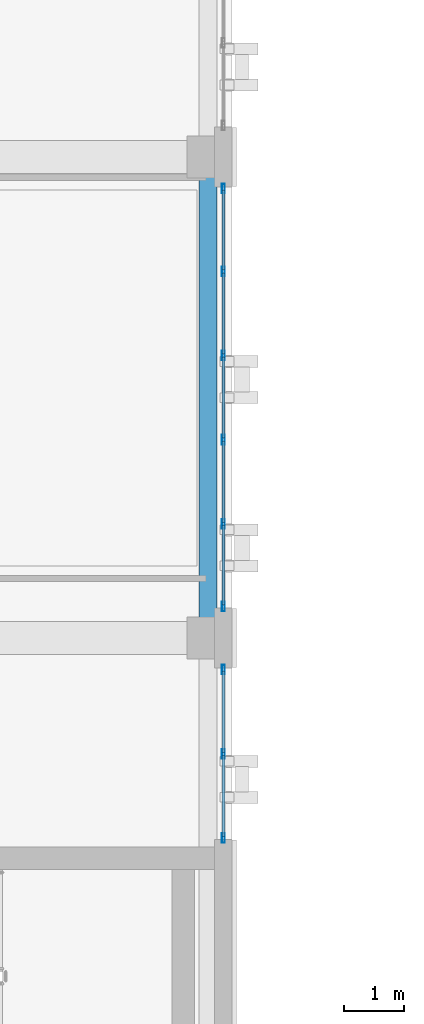
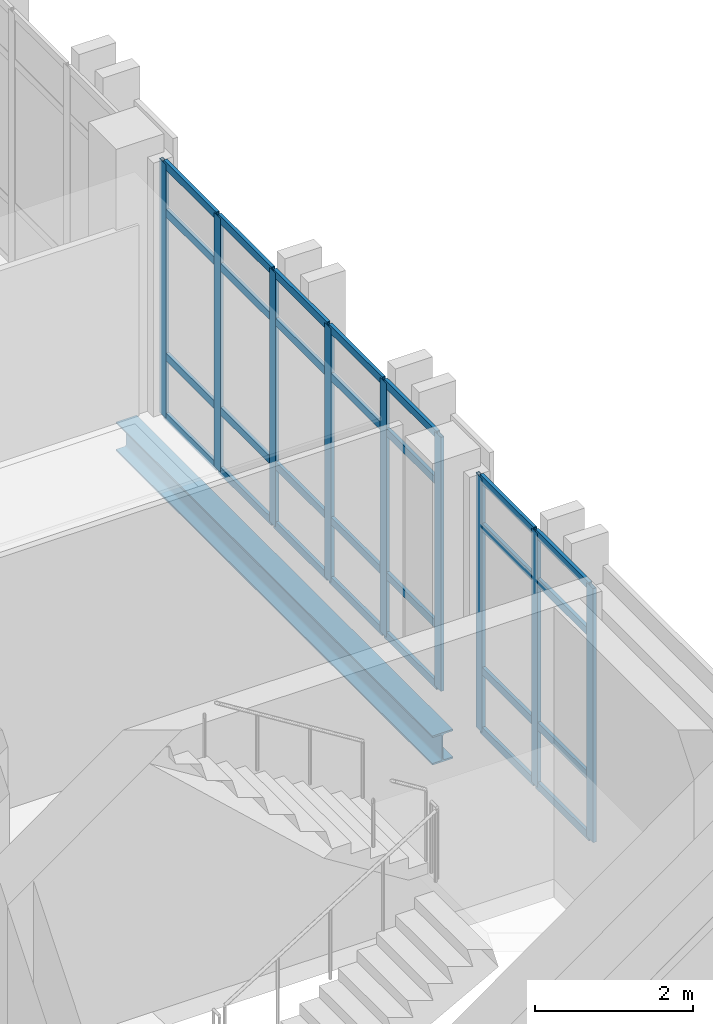
# One storey, part 62 of 165: 37 members, 1 beam, 2 elements without a shape of their own.
"""IFC4 building model written with IfcOpenShell, lengths in metres."""

from ifc_helpers import new_model, si_unit, direction, frame, origin, origin_2d, place, context, subcontext, project, spatial, hollow_rectangle, i_section, extrude, material, layer, layer_set, material_profile, profile_set, type_object, element, aggregate, save


model = new_model("IFC4")

# Units and contexts
model_context = context("Model", 3, precision=1e-05, world=origin(), true_north=direction((0.0, 1.0)))
body_context = subcontext(model_context, "Body", "Model", "MODEL_VIEW")
ifc_project = project(units=[si_unit("LENGTHUNIT", "METRE"), si_unit("AREAUNIT", "SQUARE_METRE"), si_unit("VOLUMEUNIT", "CUBIC_METRE"), si_unit("PLANEANGLEUNIT", "RADIAN"), si_unit("MASSUNIT", "GRAM", prefix="KILO")], contexts=[model_context])

# Site, building, storey
site_placement = place(None, origin())
site = spatial("IfcSite", under=ifc_project, at=site_placement, CompositionType="ELEMENT")
building_placement = place(site_placement, origin())
building = spatial("IfcBuilding", under=site, at=building_placement, Name="Qalavern Law Courts", CompositionType="ELEMENT")
storey_placement = place(building_placement, frame((0.0, 0.0, 14.39990234375)))
storey = spatial("IfcBuildingStorey", under=building, at=storey_placement, Name="L03", CompositionType="ELEMENT", Elevation=14.39990234375)

# Curtain wall, members
ifc_material_1 = material(Name="Anodised aluminium and insulated glazing", Category="aluminium")
ifc_layer = layer(ifc_material_1, 0.172119140625)
ifc_layer_set = layer_set([ifc_layer], Name="Anodised aluminium and insulated glazing")
curtain_wall_type = type_object("IfcCurtainWallType", Name="ENV-CW-COURT", PredefinedType="USERDEFINED", material=ifc_layer_set)
curtain_wall_1_placement = place(storey_placement, origin())
curtain_wall_1 = element("IfcCurtainWall", 1, at=curtain_wall_1_placement, inside=storey, type_object=curtain_wall_type, Name="V4 unitised curtain wall L03 east 1", ObjectType="UNITISED CURTAIN WALL", PredefinedType="USERDEFINED")
ifc_material_2 = material(Name="Anodised aluminium", Category="aluminium")
ifc_material_profile_1 = material_profile(ifc_material_2, hollow_rectangle(XDim=0.048095703125, YDim=0.159912109375, WallThickness=0.00390625, at=origin_2d()), Name="ALU MULLION 48x160")
ifc_profile_set_1 = profile_set([ifc_material_profile_1], Name="Anodised aluminium")
member_type_1 = type_object("IfcMemberType", Name="ENV-CWM-48x160", PredefinedType="MULLION", material=ifc_profile_set_1)
member_1_placement = place(storey_placement, frame((106.652587890625, 46.073974609375, 0.0), z_axis=(0.0, 0.0, 1.0), x_axis=(-1.0, 0.0, 0.0)))
member_1 = element("IfcMember", 2, at=member_1_placement, type_object=member_type_1, Name="CW-03 mullion 1", PredefinedType="MULLION", context=body_context, shape_type="SweptSolid", body=[
    extrude(hollow_rectangle(XDim=0.048095703125, YDim=0.159912109375, WallThickness=0.00390625, at=origin_2d()), origin(), (0.0, 0.0, 1.0), 3.920166015625),
])
member_2_placement = place(storey_placement, frame((106.652587890625, 47.47509765625, 0.0), z_axis=(0.0, 0.0, 1.0), x_axis=(-1.0, 0.0, 0.0)))
member_2 = element("IfcMember", 3, at=member_2_placement, type_object=member_type_1, Name="CW-03 mullion 2", PredefinedType="MULLION", context=body_context, shape_type="SweptSolid", body=[
    extrude(hollow_rectangle(XDim=0.048095703125, YDim=0.159912109375, WallThickness=0.00390625, at=origin_2d()), origin(), (0.0, 0.0, 1.0), 3.920166015625),
])
member_3_placement = place(storey_placement, frame((106.652587890625, 48.8759765625, 0.0), z_axis=(0.0, 0.0, 1.0), x_axis=(-1.0, 0.0, 0.0)))
member_3 = element("IfcMember", 4, at=member_3_placement, type_object=member_type_1, Name="CW-03 mullion 3", PredefinedType="MULLION", context=body_context, shape_type="SweptSolid", body=[
    extrude(hollow_rectangle(XDim=0.048095703125, YDim=0.159912109375, WallThickness=0.00390625, at=origin_2d()), origin(), (0.0, 0.0, 1.0), 3.920166015625),
])

curtain_wall_2_placement = place(storey_placement, origin())
curtain_wall_2 = element("IfcCurtainWall", 5, at=curtain_wall_2_placement, inside=storey, type_object=curtain_wall_type, Name="V4 unitised curtain wall L03 east 2", ObjectType="UNITISED CURTAIN WALL", PredefinedType="USERDEFINED")
member_4_placement = place(storey_placement, frame((106.652587890625, 49.924072265625, 0.0), z_axis=(0.0, 0.0, 1.0), x_axis=(-1.0, 0.0, 0.0)))
member_4 = element("IfcMember", 6, at=member_4_placement, type_object=member_type_1, Name="CW-03 mullion 1", PredefinedType="MULLION", context=body_context, shape_type="SweptSolid", body=[
    extrude(hollow_rectangle(XDim=0.048095703125, YDim=0.159912109375, WallThickness=0.00390625, at=origin_2d()), origin(), (0.0, 0.0, 1.0), 3.920166015625),
])
member_5_placement = place(storey_placement, frame((106.652587890625, 51.300048828125, 0.0), z_axis=(0.0, 0.0, 1.0), x_axis=(-1.0, 0.0, 0.0)))
member_5 = element("IfcMember", 7, at=member_5_placement, type_object=member_type_1, Name="CW-03 mullion 2", PredefinedType="MULLION", context=body_context, shape_type="SweptSolid", body=[
    extrude(hollow_rectangle(XDim=0.048095703125, YDim=0.159912109375, WallThickness=0.00390625, at=origin_2d()), origin(), (0.0, 0.0, 1.0), 3.920166015625),
])
member_6_placement = place(storey_placement, frame((106.652587890625, 52.699951171875, 0.0), z_axis=(0.0, 0.0, 1.0), x_axis=(-1.0, 0.0, 0.0)))
member_6 = element("IfcMember", 8, at=member_6_placement, type_object=member_type_1, Name="CW-03 mullion 3", PredefinedType="MULLION", context=body_context, shape_type="SweptSolid", body=[
    extrude(hollow_rectangle(XDim=0.048095703125, YDim=0.159912109375, WallThickness=0.00390625, at=origin_2d()), origin(), (0.0, 0.0, 1.0), 3.920166015625),
])
member_7_placement = place(storey_placement, frame((106.652587890625, 54.10009765625, 0.0), z_axis=(0.0, 0.0, 1.0), x_axis=(-1.0, 0.0, 0.0)))
member_7 = element("IfcMember", 9, at=member_7_placement, type_object=member_type_1, Name="CW-03 mullion 4", PredefinedType="MULLION", context=body_context, shape_type="SweptSolid", body=[
    extrude(hollow_rectangle(XDim=0.048095703125, YDim=0.159912109375, WallThickness=0.00390625, at=origin_2d()), origin(), (0.0, 0.0, 1.0), 3.920166015625),
])
member_8_placement = place(storey_placement, frame((106.652587890625, 55.5, 0.0), z_axis=(0.0, 0.0, 1.0), x_axis=(-1.0, 0.0, 0.0)))
member_8 = element("IfcMember", 10, at=member_8_placement, type_object=member_type_1, Name="CW-03 mullion 5", PredefinedType="MULLION", context=body_context, shape_type="SweptSolid", body=[
    extrude(hollow_rectangle(XDim=0.048095703125, YDim=0.159912109375, WallThickness=0.00390625, at=origin_2d()), origin(), (0.0, 0.0, 1.0), 3.920166015625),
])
member_9_placement = place(storey_placement, frame((106.652587890625, 56.8759765625, 0.0), z_axis=(0.0, 0.0, 1.0), x_axis=(-1.0, 0.0, 0.0)))
member_9 = element("IfcMember", 11, at=member_9_placement, type_object=member_type_1, Name="CW-03 mullion 6", PredefinedType="MULLION", context=body_context, shape_type="SweptSolid", body=[
    extrude(hollow_rectangle(XDim=0.048095703125, YDim=0.159912109375, WallThickness=0.00390625, at=origin_2d()), origin(), (0.0, 0.0, 1.0), 3.920166015625),
])

# Member
ifc_material_profile_2 = material_profile(ifc_material_2, hollow_rectangle(XDim=0.048095703125, YDim=0.1201171875, WallThickness=0.00390625, at=origin_2d()), Name="ALU TRANSOM 48x120")
ifc_profile_set_2 = profile_set([ifc_material_profile_2], Name="Anodised aluminium")
member_type_2 = type_object("IfcMemberType", Name="ENV-CWT-48x120", PredefinedType="USERDEFINED", material=ifc_profile_set_2)
member_10_placement = place(storey_placement, frame((106.652587890625, 46.097900390625, 0.024169921875), z_axis=(0.0, 1.0, 0.0), x_axis=(-1.0, 0.0, 0.0)))
member_10 = element("IfcMember", 12, at=member_10_placement, type_object=member_type_2, Name="CW-03 transom 1.1", ObjectType="TRANSOM", PredefinedType="USERDEFINED", context=body_context, shape_type="SweptSolid", body=[
    extrude(hollow_rectangle(XDim=0.048095703125, YDim=0.1201171875, WallThickness=0.00390625, at=origin_2d()), origin(), (0.0, 0.0, 1.0), 1.35302734375),
])

member_11_placement = place(storey_placement, frame((106.652587890625, 46.097900390625, 0.9501953125), z_axis=(0.0, 1.0, 0.0), x_axis=(-1.0, 0.0, 0.0)))
member_11 = element("IfcMember", 13, at=member_11_placement, type_object=member_type_2, Name="CW-03 transom 1.2", ObjectType="TRANSOM", PredefinedType="USERDEFINED", context=body_context, shape_type="SweptSolid", body=[
    extrude(hollow_rectangle(XDim=0.048095703125, YDim=0.1201171875, WallThickness=0.00390625, at=origin_2d()), origin(), (0.0, 0.0, 1.0), 1.35302734375),
])

member_12_placement = place(storey_placement, frame((106.652587890625, 46.097900390625, 3.170166015625), z_axis=(0.0, 1.0, 0.0), x_axis=(-1.0, 0.0, 0.0)))
member_12 = element("IfcMember", 14, at=member_12_placement, type_object=member_type_2, Name="CW-03 transom 1.3", ObjectType="TRANSOM", PredefinedType="USERDEFINED", context=body_context, shape_type="SweptSolid", body=[
    extrude(hollow_rectangle(XDim=0.048095703125, YDim=0.1201171875, WallThickness=0.00390625, at=origin_2d()), origin(), (0.0, 0.0, 1.0), 1.35302734375),
])

member_13_placement = place(storey_placement, frame((106.652587890625, 46.097900390625, 3.89599609375), z_axis=(0.0, 1.0, 0.0), x_axis=(-1.0, 0.0, 0.0)))
member_13 = element("IfcMember", 15, at=member_13_placement, type_object=member_type_2, Name="CW-03 transom 1.4", ObjectType="TRANSOM", PredefinedType="USERDEFINED", context=body_context, shape_type="SweptSolid", body=[
    extrude(hollow_rectangle(XDim=0.048095703125, YDim=0.1201171875, WallThickness=0.00390625, at=origin_2d()), origin(), (0.0, 0.0, 1.0), 1.35302734375),
])

member_14_placement = place(storey_placement, frame((106.652587890625, 47.4990234375, 0.024169921875), z_axis=(0.0, 1.0, 0.0), x_axis=(-1.0, 0.0, 0.0)))
member_14 = element("IfcMember", 16, at=member_14_placement, type_object=member_type_2, Name="CW-03 transom 2.1", ObjectType="TRANSOM", PredefinedType="USERDEFINED", context=body_context, shape_type="SweptSolid", body=[
    extrude(hollow_rectangle(XDim=0.048095703125, YDim=0.1201171875, WallThickness=0.00390625, at=origin_2d()), origin(), (0.0, 0.0, 1.0), 1.35302734375),
])

member_15_placement = place(storey_placement, frame((106.652587890625, 47.4990234375, 0.9501953125), z_axis=(0.0, 1.0, 0.0), x_axis=(-1.0, 0.0, 0.0)))
member_15 = element("IfcMember", 17, at=member_15_placement, type_object=member_type_2, Name="CW-03 transom 2.2", ObjectType="TRANSOM", PredefinedType="USERDEFINED", context=body_context, shape_type="SweptSolid", body=[
    extrude(hollow_rectangle(XDim=0.048095703125, YDim=0.1201171875, WallThickness=0.00390625, at=origin_2d()), origin(), (0.0, 0.0, 1.0), 1.35302734375),
])

member_16_placement = place(storey_placement, frame((106.652587890625, 47.4990234375, 3.170166015625), z_axis=(0.0, 1.0, 0.0), x_axis=(-1.0, 0.0, 0.0)))
member_16 = element("IfcMember", 18, at=member_16_placement, type_object=member_type_2, Name="CW-03 transom 2.3", ObjectType="TRANSOM", PredefinedType="USERDEFINED", context=body_context, shape_type="SweptSolid", body=[
    extrude(hollow_rectangle(XDim=0.048095703125, YDim=0.1201171875, WallThickness=0.00390625, at=origin_2d()), origin(), (0.0, 0.0, 1.0), 1.35302734375),
])

member_17_placement = place(storey_placement, frame((106.652587890625, 47.4990234375, 3.89599609375), z_axis=(0.0, 1.0, 0.0), x_axis=(-1.0, 0.0, 0.0)))
member_17 = element("IfcMember", 19, at=member_17_placement, type_object=member_type_2, Name="CW-03 transom 2.4", ObjectType="TRANSOM", PredefinedType="USERDEFINED", context=body_context, shape_type="SweptSolid", body=[
    extrude(hollow_rectangle(XDim=0.048095703125, YDim=0.1201171875, WallThickness=0.00390625, at=origin_2d()), origin(), (0.0, 0.0, 1.0), 1.35302734375),
])

aggregate(curtain_wall_1, [member_1, member_2, member_3, member_10, member_11, member_12, member_13, member_14, member_15, member_16, member_17])

member_18_placement = place(storey_placement, frame((106.652587890625, 49.947998046875, 0.024169921875), z_axis=(0.0, 1.0, 0.0), x_axis=(-1.0, 0.0, 0.0)))
member_18 = element("IfcMember", 20, at=member_18_placement, type_object=member_type_2, Name="CW-03 transom 1.1", ObjectType="TRANSOM", PredefinedType="USERDEFINED", context=body_context, shape_type="SweptSolid", body=[
    extrude(hollow_rectangle(XDim=0.048095703125, YDim=0.1201171875, WallThickness=0.00390625, at=origin_2d()), origin(), (0.0, 0.0, 1.0), 1.327880859375),
])

member_19_placement = place(storey_placement, frame((106.652587890625, 49.947998046875, 0.9501953125), z_axis=(0.0, 1.0, 0.0), x_axis=(-1.0, 0.0, 0.0)))
member_19 = element("IfcMember", 21, at=member_19_placement, type_object=member_type_2, Name="CW-03 transom 1.2", ObjectType="TRANSOM", PredefinedType="USERDEFINED", context=body_context, shape_type="SweptSolid", body=[
    extrude(hollow_rectangle(XDim=0.048095703125, YDim=0.1201171875, WallThickness=0.00390625, at=origin_2d()), origin(), (0.0, 0.0, 1.0), 1.327880859375),
])

member_20_placement = place(storey_placement, frame((106.652587890625, 49.947998046875, 3.170166015625), z_axis=(0.0, 1.0, 0.0), x_axis=(-1.0, 0.0, 0.0)))
member_20 = element("IfcMember", 22, at=member_20_placement, type_object=member_type_2, Name="CW-03 transom 1.3", ObjectType="TRANSOM", PredefinedType="USERDEFINED", context=body_context, shape_type="SweptSolid", body=[
    extrude(hollow_rectangle(XDim=0.048095703125, YDim=0.1201171875, WallThickness=0.00390625, at=origin_2d()), origin(), (0.0, 0.0, 1.0), 1.327880859375),
])

member_21_placement = place(storey_placement, frame((106.652587890625, 49.947998046875, 3.89599609375), z_axis=(0.0, 1.0, 0.0), x_axis=(-1.0, 0.0, 0.0)))
member_21 = element("IfcMember", 23, at=member_21_placement, type_object=member_type_2, Name="CW-03 transom 1.4", ObjectType="TRANSOM", PredefinedType="USERDEFINED", context=body_context, shape_type="SweptSolid", body=[
    extrude(hollow_rectangle(XDim=0.048095703125, YDim=0.1201171875, WallThickness=0.00390625, at=origin_2d()), origin(), (0.0, 0.0, 1.0), 1.327880859375),
])

member_22_placement = place(storey_placement, frame((106.652587890625, 51.323974609375, 0.024169921875), z_axis=(0.0, 1.0, 0.0), x_axis=(-1.0, 0.0, 0.0)))
member_22 = element("IfcMember", 24, at=member_22_placement, type_object=member_type_2, Name="CW-03 transom 2.1", ObjectType="TRANSOM", PredefinedType="USERDEFINED", context=body_context, shape_type="SweptSolid", body=[
    extrude(hollow_rectangle(XDim=0.048095703125, YDim=0.1201171875, WallThickness=0.00390625, at=origin_2d()), origin(), (0.0, 0.0, 1.0), 1.35205078125),
])

member_23_placement = place(storey_placement, frame((106.652587890625, 51.323974609375, 0.9501953125), z_axis=(0.0, 1.0, 0.0), x_axis=(-1.0, 0.0, 0.0)))
member_23 = element("IfcMember", 25, at=member_23_placement, type_object=member_type_2, Name="CW-03 transom 2.2", ObjectType="TRANSOM", PredefinedType="USERDEFINED", context=body_context, shape_type="SweptSolid", body=[
    extrude(hollow_rectangle(XDim=0.048095703125, YDim=0.1201171875, WallThickness=0.00390625, at=origin_2d()), origin(), (0.0, 0.0, 1.0), 1.35205078125),
])

member_24_placement = place(storey_placement, frame((106.652587890625, 51.323974609375, 3.170166015625), z_axis=(0.0, 1.0, 0.0), x_axis=(-1.0, 0.0, 0.0)))
member_24 = element("IfcMember", 26, at=member_24_placement, type_object=member_type_2, Name="CW-03 transom 2.3", ObjectType="TRANSOM", PredefinedType="USERDEFINED", context=body_context, shape_type="SweptSolid", body=[
    extrude(hollow_rectangle(XDim=0.048095703125, YDim=0.1201171875, WallThickness=0.00390625, at=origin_2d()), origin(), (0.0, 0.0, 1.0), 1.35205078125),
])

member_25_placement = place(storey_placement, frame((106.652587890625, 51.323974609375, 3.89599609375), z_axis=(0.0, 1.0, 0.0), x_axis=(-1.0, 0.0, 0.0)))
member_25 = element("IfcMember", 27, at=member_25_placement, type_object=member_type_2, Name="CW-03 transom 2.4", ObjectType="TRANSOM", PredefinedType="USERDEFINED", context=body_context, shape_type="SweptSolid", body=[
    extrude(hollow_rectangle(XDim=0.048095703125, YDim=0.1201171875, WallThickness=0.00390625, at=origin_2d()), origin(), (0.0, 0.0, 1.0), 1.35205078125),
])

member_26_placement = place(storey_placement, frame((106.652587890625, 52.72412109375, 0.024169921875), z_axis=(0.0, 1.0, 0.0), x_axis=(-1.0, 0.0, 0.0)))
member_26 = element("IfcMember", 28, at=member_26_placement, type_object=member_type_2, Name="CW-03 transom 3.1", ObjectType="TRANSOM", PredefinedType="USERDEFINED", context=body_context, shape_type="SweptSolid", body=[
    extrude(hollow_rectangle(XDim=0.048095703125, YDim=0.1201171875, WallThickness=0.00390625, at=origin_2d()), origin(), (0.0, 0.0, 1.0), 1.351806640625),
])

member_27_placement = place(storey_placement, frame((106.652587890625, 52.72412109375, 0.9501953125), z_axis=(0.0, 1.0, 0.0), x_axis=(-1.0, 0.0, 0.0)))
member_27 = element("IfcMember", 29, at=member_27_placement, type_object=member_type_2, Name="CW-03 transom 3.2", ObjectType="TRANSOM", PredefinedType="USERDEFINED", context=body_context, shape_type="SweptSolid", body=[
    extrude(hollow_rectangle(XDim=0.048095703125, YDim=0.1201171875, WallThickness=0.00390625, at=origin_2d()), origin(), (0.0, 0.0, 1.0), 1.351806640625),
])

member_28_placement = place(storey_placement, frame((106.652587890625, 52.72412109375, 3.170166015625), z_axis=(0.0, 1.0, 0.0), x_axis=(-1.0, 0.0, 0.0)))
member_28 = element("IfcMember", 30, at=member_28_placement, type_object=member_type_2, Name="CW-03 transom 3.3", ObjectType="TRANSOM", PredefinedType="USERDEFINED", context=body_context, shape_type="SweptSolid", body=[
    extrude(hollow_rectangle(XDim=0.048095703125, YDim=0.1201171875, WallThickness=0.00390625, at=origin_2d()), origin(), (0.0, 0.0, 1.0), 1.351806640625),
])

member_29_placement = place(storey_placement, frame((106.652587890625, 52.72412109375, 3.89599609375), z_axis=(0.0, 1.0, 0.0), x_axis=(-1.0, 0.0, 0.0)))
member_29 = element("IfcMember", 31, at=member_29_placement, type_object=member_type_2, Name="CW-03 transom 3.4", ObjectType="TRANSOM", PredefinedType="USERDEFINED", context=body_context, shape_type="SweptSolid", body=[
    extrude(hollow_rectangle(XDim=0.048095703125, YDim=0.1201171875, WallThickness=0.00390625, at=origin_2d()), origin(), (0.0, 0.0, 1.0), 1.351806640625),
])

member_30_placement = place(storey_placement, frame((106.652587890625, 54.1240234375, 0.024169921875), z_axis=(0.0, 1.0, 0.0), x_axis=(-1.0, 0.0, 0.0)))
member_30 = element("IfcMember", 32, at=member_30_placement, type_object=member_type_2, Name="CW-03 transom 4.1", ObjectType="TRANSOM", PredefinedType="USERDEFINED", context=body_context, shape_type="SweptSolid", body=[
    extrude(hollow_rectangle(XDim=0.048095703125, YDim=0.1201171875, WallThickness=0.00390625, at=origin_2d()), origin(), (0.0, 0.0, 1.0), 1.35205078125),
])

member_31_placement = place(storey_placement, frame((106.652587890625, 54.1240234375, 0.9501953125), z_axis=(0.0, 1.0, 0.0), x_axis=(-1.0, 0.0, 0.0)))
member_31 = element("IfcMember", 33, at=member_31_placement, type_object=member_type_2, Name="CW-03 transom 4.2", ObjectType="TRANSOM", PredefinedType="USERDEFINED", context=body_context, shape_type="SweptSolid", body=[
    extrude(hollow_rectangle(XDim=0.048095703125, YDim=0.1201171875, WallThickness=0.00390625, at=origin_2d()), origin(), (0.0, 0.0, 1.0), 1.35205078125),
])

member_32_placement = place(storey_placement, frame((106.652587890625, 54.1240234375, 3.170166015625), z_axis=(0.0, 1.0, 0.0), x_axis=(-1.0, 0.0, 0.0)))
member_32 = element("IfcMember", 34, at=member_32_placement, type_object=member_type_2, Name="CW-03 transom 4.3", ObjectType="TRANSOM", PredefinedType="USERDEFINED", context=body_context, shape_type="SweptSolid", body=[
    extrude(hollow_rectangle(XDim=0.048095703125, YDim=0.1201171875, WallThickness=0.00390625, at=origin_2d()), origin(), (0.0, 0.0, 1.0), 1.35205078125),
])

member_33_placement = place(storey_placement, frame((106.652587890625, 54.1240234375, 3.89599609375), z_axis=(0.0, 1.0, 0.0), x_axis=(-1.0, 0.0, 0.0)))
member_33 = element("IfcMember", 35, at=member_33_placement, type_object=member_type_2, Name="CW-03 transom 4.4", ObjectType="TRANSOM", PredefinedType="USERDEFINED", context=body_context, shape_type="SweptSolid", body=[
    extrude(hollow_rectangle(XDim=0.048095703125, YDim=0.1201171875, WallThickness=0.00390625, at=origin_2d()), origin(), (0.0, 0.0, 1.0), 1.35205078125),
])

member_34_placement = place(storey_placement, frame((106.652587890625, 55.52392578125, 0.024169921875), z_axis=(0.0, 1.0, 0.0), x_axis=(-1.0, 0.0, 0.0)))
member_34 = element("IfcMember", 36, at=member_34_placement, type_object=member_type_2, Name="CW-03 transom 5.1", ObjectType="TRANSOM", PredefinedType="USERDEFINED", context=body_context, shape_type="SweptSolid", body=[
    extrude(hollow_rectangle(XDim=0.048095703125, YDim=0.1201171875, WallThickness=0.00390625, at=origin_2d()), origin(), (0.0, 0.0, 1.0), 1.328125),
])

member_35_placement = place(storey_placement, frame((106.652587890625, 55.52392578125, 0.9501953125), z_axis=(0.0, 1.0, 0.0), x_axis=(-1.0, 0.0, 0.0)))
member_35 = element("IfcMember", 37, at=member_35_placement, type_object=member_type_2, Name="CW-03 transom 5.2", ObjectType="TRANSOM", PredefinedType="USERDEFINED", context=body_context, shape_type="SweptSolid", body=[
    extrude(hollow_rectangle(XDim=0.048095703125, YDim=0.1201171875, WallThickness=0.00390625, at=origin_2d()), origin(), (0.0, 0.0, 1.0), 1.328125),
])

member_36_placement = place(storey_placement, frame((106.652587890625, 55.52392578125, 3.170166015625), z_axis=(0.0, 1.0, 0.0), x_axis=(-1.0, 0.0, 0.0)))
member_36 = element("IfcMember", 38, at=member_36_placement, type_object=member_type_2, Name="CW-03 transom 5.3", ObjectType="TRANSOM", PredefinedType="USERDEFINED", context=body_context, shape_type="SweptSolid", body=[
    extrude(hollow_rectangle(XDim=0.048095703125, YDim=0.1201171875, WallThickness=0.00390625, at=origin_2d()), origin(), (0.0, 0.0, 1.0), 1.328125),
])

member_37_placement = place(storey_placement, frame((106.652587890625, 55.52392578125, 3.89599609375), z_axis=(0.0, 1.0, 0.0), x_axis=(-1.0, 0.0, 0.0)))
member_37 = element("IfcMember", 39, at=member_37_placement, type_object=member_type_2, Name="CW-03 transom 5.4", ObjectType="TRANSOM", PredefinedType="USERDEFINED", context=body_context, shape_type="SweptSolid", body=[
    extrude(hollow_rectangle(XDim=0.048095703125, YDim=0.1201171875, WallThickness=0.00390625, at=origin_2d()), origin(), (0.0, 0.0, 1.0), 1.328125),
])

aggregate(curtain_wall_2, [member_4, member_5, member_6, member_7, member_8, member_9, member_18, member_19, member_20, member_21, member_22, member_23, member_24, member_25, member_26, member_27, member_28, member_29, member_30, member_31, member_32, member_33, member_34, member_35, member_36, member_37])

# Beam
ifc_material_3 = material(Name="Steel S355", Category="steel")
ifc_material_profile_3 = material_profile(ifc_material_3, i_section(OverallWidth=0.300048828125, OverallDepth=0.449951171875, WebThickness=0.013916015625, FlangeThickness=0.02587890625, FilletRadius=0.027099609375, at=origin_2d()), Name="HEB 450")
ifc_profile_set_3 = profile_set([ifc_material_profile_3], Name="Steel S355")
beam_type = type_object("IfcBeamType", Name="STR-SP-HEB450", PredefinedType="SPANDREL", material=ifc_profile_set_3)
beam_placement = place(storey_placement, frame((106.39990234375, 49.39990234375, -0.510009765625), z_axis=(0.0, 1.0, 0.0), x_axis=(-1.0, 0.0, 0.0)))
element("IfcBeam", 40, at=beam_placement, inside=storey, type_object=beam_type, Name="V4 Y-beam 3-2 L03", PredefinedType="SPANDREL", context=body_context, shape_type="SweptSolid", body=[
    extrude(i_section(OverallWidth=0.300048828125, OverallDepth=0.449951171875, WebThickness=0.013916015625, FlangeThickness=0.02587890625, FilletRadius=0.027099609375, at=origin_2d()), origin(), (0.0, 0.0, 1.0), 8.0),
])

save(model, "model.ifc")
